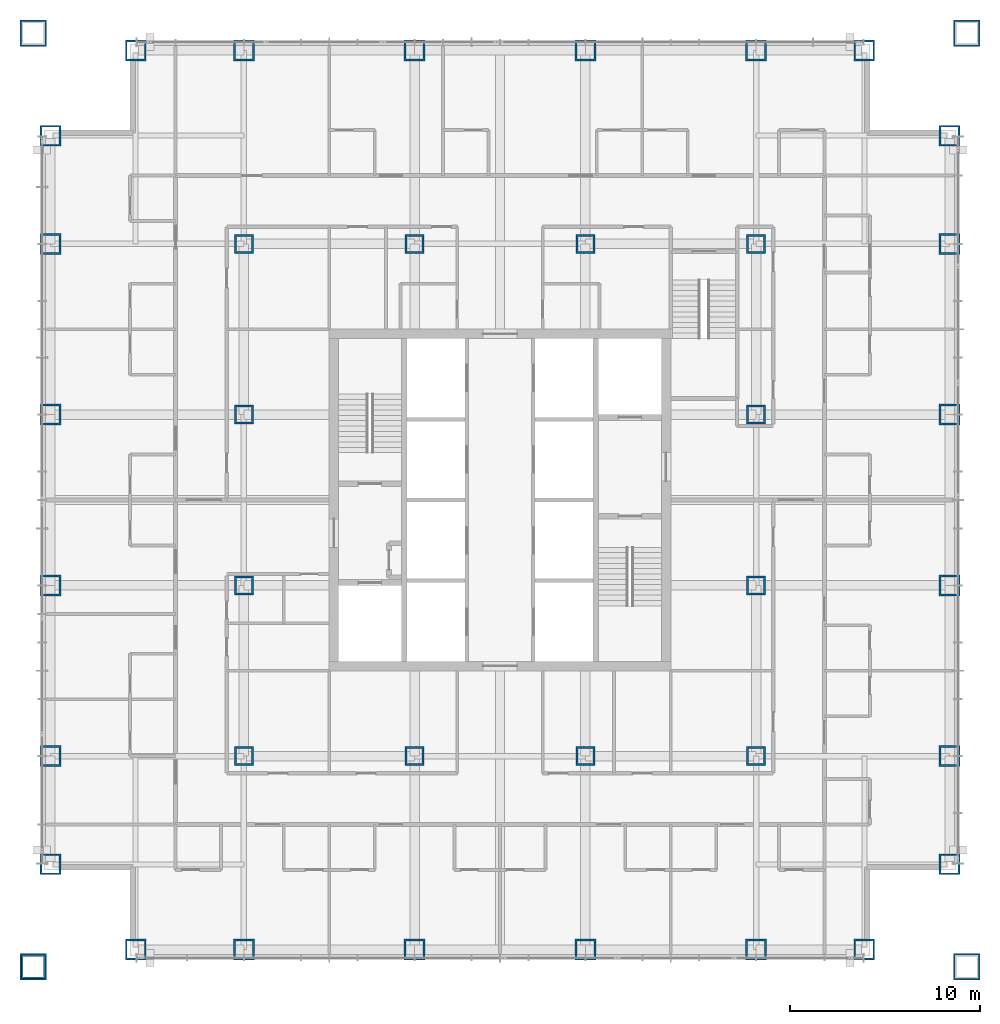
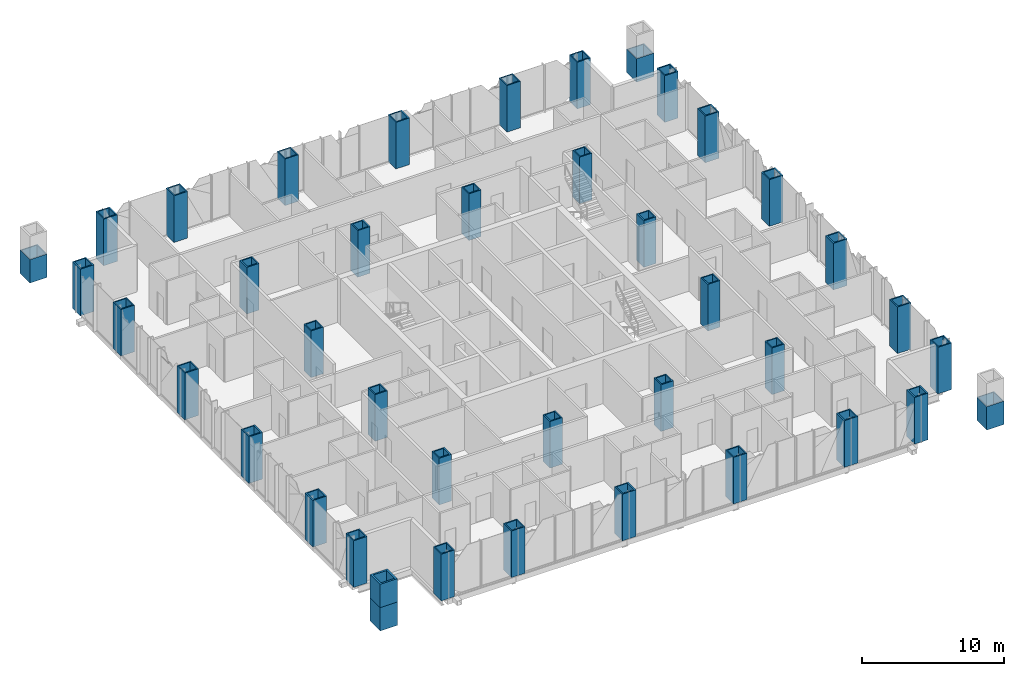
# One storey, part 1 of 23: 40 columns, 1 member.
"""IFC4 building model written with IfcOpenShell, lengths in metres."""

from ifc_helpers import new_model, si_unit, direction, frame, origin, origin_2d, place, context, subcontext, project, spatial, hollow_rectangle, extrude, material, material_profile, profile_set, type_object, element, save


model = new_model("IFC4")

# Units and contexts
model_context = context("Model", 3, precision=1e-05, world=origin(), true_north=direction((0.0, 1.0)))
body_context = subcontext(model_context, "Body", "Model", "MODEL_VIEW")
ifc_project = project(units=[si_unit("LENGTHUNIT", "METRE"), si_unit("AREAUNIT", "SQUARE_METRE"), si_unit("VOLUMEUNIT", "CUBIC_METRE"), si_unit("PLANEANGLEUNIT", "RADIAN"), si_unit("MASSUNIT", "GRAM", prefix="KILO")], contexts=[model_context])

# Site, building, storey
site_placement = place(None, origin())
site = spatial("IfcSite", under=ifc_project, at=site_placement, CompositionType="ELEMENT")
building_placement = place(site_placement, origin())
building = spatial("IfcBuilding", under=site, at=building_placement, Name="Malebo Sky Hospital", CompositionType="ELEMENT")
storey_placement = place(building_placement, frame((0.0, 0.0, 168.0)))
storey = spatial("IfcBuildingStorey", under=building, at=storey_placement, Name="L40", CompositionType="ELEMENT", Elevation=168.0)

# Columns
ifc_material = material(Name="Steel S460", Category="steel")
ifc_material_profile_1 = material_profile(ifc_material, hollow_rectangle(XDim=1.0, YDim=1.0, WallThickness=0.10009765625, at=origin_2d()), Name="BOX 1000x1000x100")
ifc_profile_set_1 = profile_set([ifc_material_profile_1], Name="Steel S460")
column_type_1 = type_object("IfcColumnType", Name="INNER COLUMN BOX 1000x1000x100", PredefinedType="COLUMN", material=ifc_profile_set_1)
for number, where, z_axis, x_axis, name in (
    (1, (46.5, 48.5, 0.0), (0.0, 0.0, 1.0), (1.0, 0.0, 0.0), "Column IC9 L40"),
    (2, (73.5, 48.5, 0.0), (0.0, 0.0, 1.0), (1.0, 0.0, 0.0), "Column IC9 L40"),
    (3, (73.5, 75.5, 0.0), (0.0, 0.0, 1.0), (1.0, 0.0, 0.0), "Column IC9 L40"),
    (4, (46.5, 75.5, 0.0), (0.0, 0.0, 1.0), (1.0, 0.0, 0.0), "Column IC9 L40"),
    (5, (55.5, 48.5, 0.0), (0.0, 0.0, 1.0), (1.0, 0.0, 0.0), "Column IC9 L40"),
    (6, (64.5, 48.5, 0.0), (0.0, 0.0, 1.0), (1.0, 0.0, 0.0), "Column IC9 L40"),
    (7, (55.5, 75.5, 0.0), (0.0, 0.0, 1.0), (1.0, 0.0, 0.0), "Column IC9 L40"),
    (8, (64.5, 75.5, 0.0), (0.0, 0.0, 1.0), (1.0, 0.0, 0.0), "Column IC9 L40"),
    (9, (46.5, 57.5, 0.0), (0.0, 0.0, 1.0), (1.0, 0.0, 0.0), "Column IC9 L40"),
    (10, (46.5, 66.5, 0.0), (0.0, 0.0, 1.0), (1.0, 0.0, 0.0), "Column IC9 L40"),
    (11, (73.5, 57.5, 0.0), (0.0, 0.0, 1.0), (1.0, 0.0, 0.0), "Column IC9 L40"),
    (12, (73.5, 66.5, 0.0), (0.0, 0.0, 1.0), (1.0, 0.0, 0.0), "Column IC9 L40"),
):
    element("IfcColumn", number, at=place(storey_placement, frame(where, z_axis=z_axis, x_axis=x_axis)), inside=storey, type_object=column_type_1, Name=name, PredefinedType="COLUMN", context=body_context, shape_type="SweptSolid", body=[
        extrude(hollow_rectangle(XDim=1.0, YDim=1.0, WallThickness=0.10009765625, at=origin_2d()), origin(), (0.0, 0.0, 1.0), 4.0),
    ])
ifc_material_profile_2 = material_profile(ifc_material, hollow_rectangle(XDim=1.39990234375, YDim=1.39990234375, WallThickness=0.080078125, at=origin_2d()), Name="BOX 1400x1400x80")
ifc_profile_set_2 = profile_set([ifc_material_profile_2], Name="Steel S460")
column_type_2 = type_object("IfcColumnType", Name="MEGA COLUMN BOX 1400x1400x80", PredefinedType="COLUMN", material=ifc_profile_set_2)
for number, where, z_axis, x_axis, name in (
    (13, (35.39990234375, 37.39990234375, 0.0), (0.0, 0.0, 1.0), (1.0, 0.0, 0.0), "Mega column SW L40"),
    (14, (84.60009765625, 37.39990234375, 0.0), (0.0, 0.0, 1.0), (1.0, 0.0, 0.0), "Mega column SE L40"),
    (15, (84.60009765625, 86.60009765625, 0.0), (0.0, 0.0, 1.0), (1.0, 0.0, 0.0), "Mega column NE L40"),
    (16, (35.39990234375, 86.60009765625, 0.0), (0.0, 0.0, 1.0), (1.0, 0.0, 0.0), "Mega column NW L40"),
):
    element("IfcColumn", number, at=place(storey_placement, frame(where, z_axis=z_axis, x_axis=x_axis)), inside=storey, type_object=column_type_2, Name=name, PredefinedType="COLUMN", context=body_context, shape_type="SweptSolid", body=[
        extrude(hollow_rectangle(XDim=1.39990234375, YDim=1.39990234375, WallThickness=0.080078125, at=origin_2d()), origin(), (0.0, 0.0, 1.0), 2.0),
    ])
ifc_material_profile_3 = material_profile(ifc_material, hollow_rectangle(XDim=1.10009765625, YDim=1.10009765625, WallThickness=0.10009765625, at=origin_2d()), Name="BOX 1100x1100x100")
ifc_profile_set_3 = profile_set([ifc_material_profile_3], Name="Steel S460")
column_type_3 = type_object("IfcColumnType", Name="PERIMETER COLUMN BOX 1100x1100x100", PredefinedType="COLUMN", material=ifc_profile_set_3)
for number, where, z_axis, x_axis, name in (
    (17, (40.800048828125, 38.300048828125, 0.0), (0.0, 0.0, 1.0), (1.0, 0.0, 0.0), "Column PC10 L40"),
    (18, (40.800048828125, 85.699951171875, 0.0), (0.0, 0.0, 1.0), (1.0, 0.0, 0.0), "Column PC10 L40"),
    (19, (36.300048828125, 42.800048828125, 0.0), (0.0, 0.0, 1.0), (1.0, 0.0, 0.0), "Column PC10 L40"),
    (20, (83.699951171875, 42.800048828125, 0.0), (0.0, 0.0, 1.0), (1.0, 0.0, 0.0), "Column PC10 L40"),
    (21, (46.5, 38.300048828125, 0.0), (0.0, 0.0, 1.0), (1.0, 0.0, 0.0), "Column PC10 L40"),
    (22, (46.5, 85.699951171875, 0.0), (0.0, 0.0, 1.0), (1.0, 0.0, 0.0), "Column PC10 L40"),
    (23, (36.300048828125, 48.5, 0.0), (0.0, 0.0, 1.0), (1.0, 0.0, 0.0), "Column PC10 L40"),
    (24, (83.699951171875, 48.5, 0.0), (0.0, 0.0, 1.0), (1.0, 0.0, 0.0), "Column PC10 L40"),
    (25, (55.5, 38.300048828125, 0.0), (0.0, 0.0, 1.0), (1.0, 0.0, 0.0), "Column PC10 L40"),
    (26, (55.5, 85.699951171875, 0.0), (0.0, 0.0, 1.0), (1.0, 0.0, 0.0), "Column PC10 L40"),
    (27, (36.300048828125, 57.5, 0.0), (0.0, 0.0, 1.0), (1.0, 0.0, 0.0), "Column PC10 L40"),
    (28, (83.699951171875, 57.5, 0.0), (0.0, 0.0, 1.0), (1.0, 0.0, 0.0), "Column PC10 L40"),
    (29, (64.5, 38.300048828125, 0.0), (0.0, 0.0, 1.0), (1.0, 0.0, 0.0), "Column PC10 L40"),
    (30, (64.5, 85.699951171875, 0.0), (0.0, 0.0, 1.0), (1.0, 0.0, 0.0), "Column PC10 L40"),
    (31, (36.300048828125, 66.5, 0.0), (0.0, 0.0, 1.0), (1.0, 0.0, 0.0), "Column PC10 L40"),
    (32, (83.699951171875, 66.5, 0.0), (0.0, 0.0, 1.0), (1.0, 0.0, 0.0), "Column PC10 L40"),
    (33, (73.5, 38.300048828125, 0.0), (0.0, 0.0, 1.0), (1.0, 0.0, 0.0), "Column PC10 L40"),
    (34, (73.5, 85.699951171875, 0.0), (0.0, 0.0, 1.0), (1.0, 0.0, 0.0), "Column PC10 L40"),
    (35, (36.300048828125, 75.5, 0.0), (0.0, 0.0, 1.0), (1.0, 0.0, 0.0), "Column PC10 L40"),
    (36, (83.699951171875, 75.5, 0.0), (0.0, 0.0, 1.0), (1.0, 0.0, 0.0), "Column PC10 L40"),
    (37, (79.199951171875, 38.300048828125, 0.0), (0.0, 0.0, 1.0), (1.0, 0.0, 0.0), "Column PC10 L40"),
    (38, (79.199951171875, 85.699951171875, 0.0), (0.0, 0.0, 1.0), (1.0, 0.0, 0.0), "Column PC10 L40"),
    (39, (36.300048828125, 81.199951171875, 0.0), (0.0, 0.0, 1.0), (1.0, 0.0, 0.0), "Column PC10 L40"),
    (40, (83.699951171875, 81.199951171875, 0.0), (0.0, 0.0, 1.0), (1.0, 0.0, 0.0), "Column PC10 L40"),
):
    element("IfcColumn", number, at=place(storey_placement, frame(where, z_axis=z_axis, x_axis=x_axis)), inside=storey, type_object=column_type_3, Name=name, PredefinedType="COLUMN", context=body_context, shape_type="SweptSolid", body=[
        extrude(hollow_rectangle(XDim=1.10009765625, YDim=1.10009765625, WallThickness=0.10009765625, at=origin_2d()), origin(), (0.0, 0.0, 1.0), 4.0),
    ])

# Member
ifc_material_profile_4 = material_profile(ifc_material, hollow_rectangle(XDim=1.39990234375, YDim=1.39990234375, WallThickness=0.14990234375, at=origin_2d()), Name="BOX 1400x1400x150")
ifc_profile_set_4 = profile_set([ifc_material_profile_4], Name="Steel S460")
member_type = type_object("IfcMemberType", Name="MEGA COLUMN NODE BOX 1400x1400x150", PredefinedType="MEMBER", material=ifc_profile_set_4)
member_placement = place(storey_placement, frame((35.39990234375, 37.39990234375, 2.0), z_axis=(0.0, 0.0, 1.0), x_axis=(1.0, 0.0, 0.0)))
element("IfcMember", 41, at=member_placement, inside=storey, type_object=member_type, Name="Mega column node SW L40", PredefinedType="MEMBER", context=body_context, shape_type="SweptSolid", body=[
    extrude(hollow_rectangle(XDim=1.39990234375, YDim=1.39990234375, WallThickness=0.14990234375, at=origin_2d()), origin(), (0.0, 0.0, 1.0), 2.0),
])

save(model, "model.ifc")
